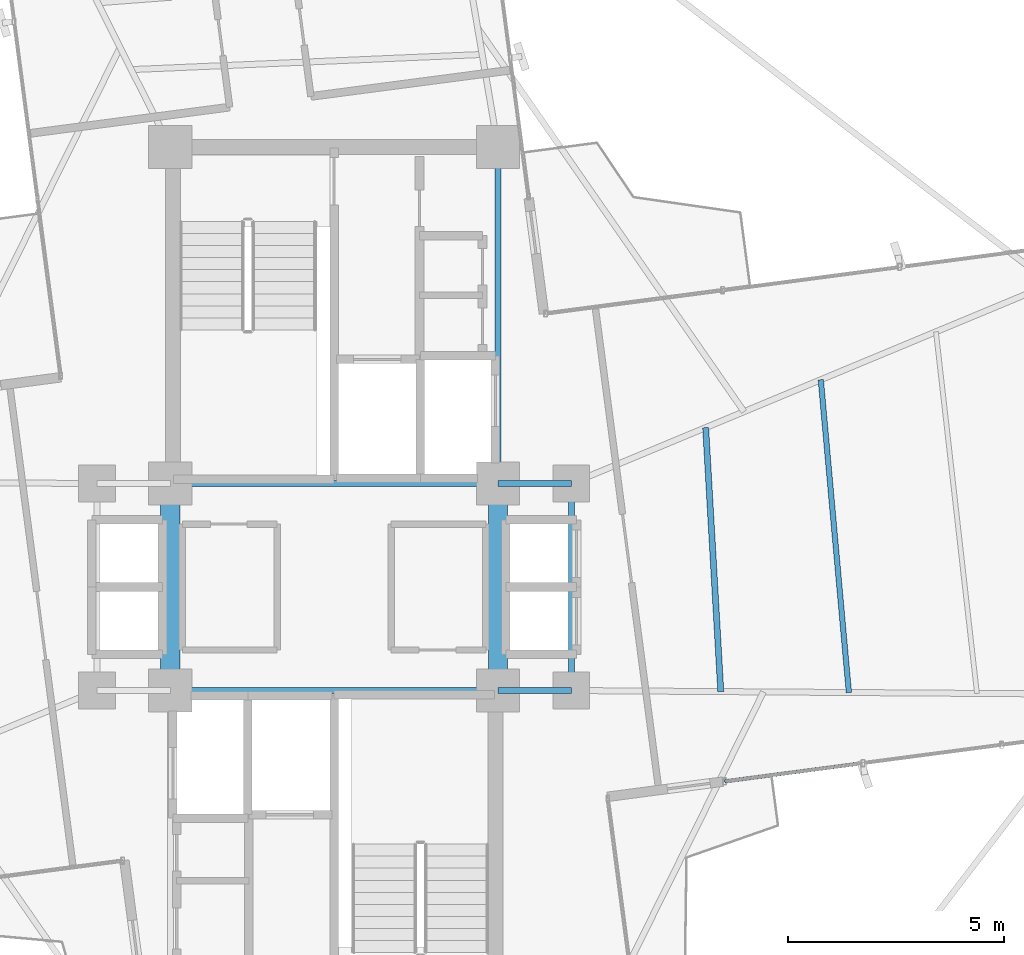
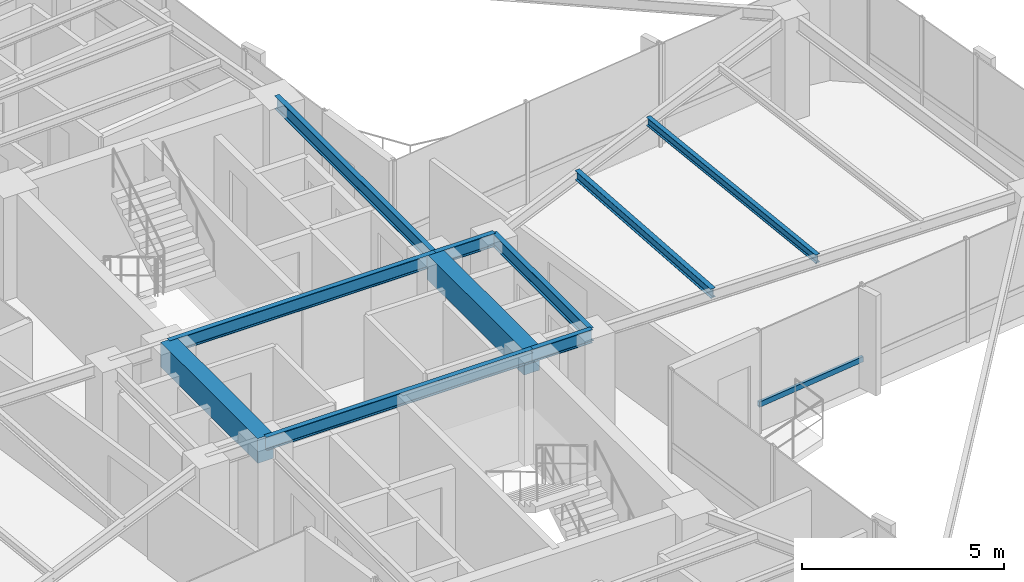
# One storey, part 9 of 21: 10 beams, 1 member, 1 element without a shape of its own.
"""IFC4 building model written with IfcOpenShell, lengths in metres."""

from ifc_helpers import new_model, si_unit, direction, frame, origin, origin_2d, place, context, subcontext, project, spatial, rectangle, hollow_rectangle, i_section, extrude, source, transform, mapped, material, material_profile, profile_set, type_object, element, aggregate, save


model = new_model("IFC4")

# Units and contexts
model_context = context("Model", 3, precision=1e-05, world=origin(), true_north=direction((0.0, 1.0)))
body_context = subcontext(model_context, "Body", "Model", "MODEL_VIEW")
ifc_project = project(units=[si_unit("LENGTHUNIT", "METRE"), si_unit("AREAUNIT", "SQUARE_METRE"), si_unit("VOLUMEUNIT", "CUBIC_METRE"), si_unit("PLANEANGLEUNIT", "RADIAN"), si_unit("MASSUNIT", "GRAM", prefix="KILO")], contexts=[model_context])

# Site, building, storey
site_placement = place(None, origin())
site = spatial("IfcSite", under=ifc_project, at=site_placement, CompositionType="ELEMENT")
building_placement = place(site_placement, origin())
building = spatial("IfcBuilding", under=site, at=building_placement, Name="Sahyath Konkavel Grand Hotel", CompositionType="ELEMENT")
storey_placement = place(building_placement, frame((0.0, 0.0, 213.199951171875)))
storey = spatial("IfcBuildingStorey", under=building, at=storey_placement, Name="L59", CompositionType="ELEMENT", Elevation=213.199951171875)

# Beams
ifc_material_1 = material(Name="Steel E350", Category="steel")
ifc_material_profile_1 = material_profile(ifc_material_1, i_section(OverallWidth=0.139892578125, OverallDepth=0.39990234375, WebThickness=0.0087890625, FlangeThickness=0.01611328125, FilletRadius=0.013916015625, at=origin_2d()), Name="ISMB 400")
ifc_profile_set_1 = profile_set([ifc_material_profile_1], Name="Steel E350")
beam_type_1 = type_object("IfcBeamType", Name="BM-ISMB400", PredefinedType="BEAM", material=ifc_profile_set_1)
shared_shape_1 = source(origin(), body_context, "Body", "SweptSolid", [
    extrude(i_section(OverallWidth=0.139892578125, OverallDepth=0.39990234375, WebThickness=0.0087890625, FlangeThickness=0.01611328125, FilletRadius=0.013916015625, at=origin_2d()), origin(), (0.0, 0.0, 1.0), 7.60009765625),
])
for number, where, z_axis, x_axis, name in (
    (1, (-3.800048828125, 2.39990234375, 2.91015625), (1.0, 0.0, 0.0), (0.0, 1.0, 0.0), "str:bm:L59:NC-S"),
    (2, (-3.800048828125, -2.39990234375, 2.91015625), (1.0, 0.0, 0.0), (0.0, 1.0, 0.0), "str:bm:L59:SC-N"),
):
    element("IfcBeam", number, at=place(storey_placement, frame(where, z_axis=z_axis, x_axis=x_axis)), inside=storey, type_object=beam_type_1, Name=name, PredefinedType="BEAM", context=body_context, shape_type="MappedRepresentation", body=[
        mapped(shared_shape_1, transform((0.0, 0.0, 0.0), scale=1.0)),
    ])
shared_shape_2 = source(origin(), body_context, "Body", "SweptSolid", [
    extrude(i_section(OverallWidth=0.139892578125, OverallDepth=0.39990234375, WebThickness=0.0087890625, FlangeThickness=0.01611328125, FilletRadius=0.013916015625, at=origin_2d()), origin(), (0.0, 0.0, 1.0), 7.800048828125),
])
beam_1_placement = place(storey_placement, frame((3.800048828125, 2.39990234375, 2.91015625), z_axis=(0.0, 1.0, 0.0), x_axis=(-1.0, 0.0, 0.0)))
element("IfcBeam", 3, at=beam_1_placement, inside=storey, type_object=beam_type_1, Name="str:bm:L59:NC-E", PredefinedType="BEAM", context=body_context, shape_type="MappedRepresentation", body=[
    mapped(shared_shape_2, transform((0.0, 0.0, 0.0), scale=1.0)),
])
shared_shape_3 = source(origin(), body_context, "Body", "SweptSolid", [
    extrude(i_section(OverallWidth=0.139892578125, OverallDepth=0.39990234375, WebThickness=0.0087890625, FlangeThickness=0.01611328125, FilletRadius=0.013916015625, at=origin_2d()), origin(), (0.0, 0.0, 1.0), 1.699951171875),
])
for number, where, z_axis, x_axis, name in (
    (4, (3.800048828125, 2.39990234375, 2.91015625), (1.0, 0.0, 0.0), (0.0, 1.0, 0.0), "str:bm:L59:HB-NE"),
    (5, (3.800048828125, -2.39990234375, 2.91015625), (1.0, 0.0, 0.0), (0.0, 1.0, 0.0), "str:bm:L59:HB-SE"),
):
    element("IfcBeam", number, at=place(storey_placement, frame(where, z_axis=z_axis, x_axis=x_axis)), inside=storey, type_object=beam_type_1, Name=name, PredefinedType="BEAM", context=body_context, shape_type="MappedRepresentation", body=[
        mapped(shared_shape_3, transform((0.0, 0.0, 0.0), scale=1.0)),
    ])
shared_shape_4 = source(origin(), body_context, "Body", "SweptSolid", [
    extrude(i_section(OverallWidth=0.139892578125, OverallDepth=0.39990234375, WebThickness=0.0087890625, FlangeThickness=0.01611328125, FilletRadius=0.013916015625, at=origin_2d()), origin(), (0.0, 0.0, 1.0), 4.7998046875),
])
beam_2_placement = place(storey_placement, frame((5.5, -2.39990234375, 2.91015625), z_axis=(0.0, 1.0, 0.0), x_axis=(-1.0, 0.0, 0.0)))
element("IfcBeam", 6, at=beam_2_placement, inside=storey, type_object=beam_type_1, Name="str:bm:L59:HB-E", PredefinedType="BEAM", context=body_context, shape_type="MappedRepresentation", body=[
    mapped(shared_shape_4, transform((0.0, 0.0, 0.0), scale=1.0)),
])
ifc_material_2 = material(Name="Concrete C40/50", Category="concrete")
ifc_material_profile_2 = material_profile(ifc_material_2, rectangle(XDim=0.449951171875, YDim=0.75, at=origin_2d()), Name="RC 450x750")
ifc_profile_set_2 = profile_set([ifc_material_profile_2], Name="Concrete C40/50")
beam_type_2 = type_object("IfcBeamType", Name="BM-CB450x750", PredefinedType="LINTEL", material=ifc_profile_set_2)
shared_shape_5 = source(origin(), body_context, "Body", "SweptSolid", [
    extrude(rectangle(XDim=0.449951171875, YDim=0.75, at=origin_2d()), origin(), (0.0, 0.0, 1.0), 4.7998046875),
])
for number, where, z_axis, x_axis, name in (
    (7, (-3.800048828125, -2.39990234375, 2.735107421875), (0.0, 1.0, 0.0), (-1.0, 0.0, 0.0), "L59 Split-Core Coupling Beam West"),
    (8, (3.800048828125, -2.39990234375, 2.735107421875), (0.0, 1.0, 0.0), (-1.0, 0.0, 0.0), "L59 Split-Core Coupling Beam East"),
):
    element("IfcBeam", number, at=place(storey_placement, frame(where, z_axis=z_axis, x_axis=x_axis)), inside=storey, type_object=beam_type_2, Name=name, PredefinedType="LINTEL", context=body_context, shape_type="MappedRepresentation", body=[
        mapped(shared_shape_5, transform((0.0, 0.0, 0.0), scale=1.0)),
    ])
ifc_material_profile_3 = material_profile(ifc_material_1, i_section(OverallWidth=0.139892578125, OverallDepth=0.27490234375, WebThickness=0.00634765625, FlangeThickness=0.0087890625, FilletRadius=0.012939453125, at=origin_2d()), Name="ISLB 275")
ifc_profile_set_3 = profile_set([ifc_material_profile_3], Name="Steel E350")
beam_type_3 = type_object("IfcBeamType", Name="BM-ISLB275", PredefinedType="BEAM", material=ifc_profile_set_3)
shared_shape_6 = source(origin(), body_context, "Body", "SweptSolid", [
    extrude(i_section(OverallWidth=0.139892578125, OverallDepth=0.27490234375, WebThickness=0.00634765625, FlangeThickness=0.0087890625, FilletRadius=0.012939453125, at=origin_2d()), origin(), (0.0, 0.0, 1.0), 6.130859375),
])
beam_3_placement = place(storey_placement, frame((8.9658203125, -2.424560546875, 2.97265625), z_axis=(-0.057223299361, 0.998361404508, 0.0), x_axis=(-0.998361404508, -0.057223299361, 0.0)))
element("IfcBeam", 9, at=beam_3_placement, inside=storey, type_object=beam_type_3, Name="L59 Secondary Floor Beam E-1", PredefinedType="BEAM", context=body_context, shape_type="MappedRepresentation", body=[
    mapped(shared_shape_6, transform((0.0, 0.0, 0.0), scale=1.0)),
])
ifc_material_profile_4 = material_profile(ifc_material_1, i_section(OverallWidth=0.125, OverallDepth=0.25, WebThickness=0.0068359375, FlangeThickness=0.012451171875, FilletRadius=0.012939453125, at=origin_2d()), Name="ISMB 250")
ifc_profile_set_4 = profile_set([ifc_material_profile_4], Name="Steel E350")
beam_type_4 = type_object("IfcBeamType", Name="BM-ISMB250", PredefinedType="BEAM", material=ifc_profile_set_4)
shared_shape_7 = source(origin(), body_context, "Body", "SweptSolid", [
    extrude(i_section(OverallWidth=0.125, OverallDepth=0.25, WebThickness=0.0068359375, FlangeThickness=0.012451171875, FilletRadius=0.012939453125, at=origin_2d()), origin(), (0.0, 0.0, 1.0), 7.28271484375),
])
beam_4_placement = place(storey_placement, frame((11.936279296875, -2.44580078125, 2.985107421875), z_axis=(-0.08944149657, 0.995992077625, 0.0), x_axis=(-0.995992077625, -0.08944149657, 0.0)))
element("IfcBeam", 10, at=beam_4_placement, inside=storey, type_object=beam_type_4, Name="L59 Secondary Floor Beam E-2", PredefinedType="BEAM", context=body_context, shape_type="MappedRepresentation", body=[
    mapped(shared_shape_7, transform((0.0, 0.0, 0.0), scale=1.0)),
])

# Curtain wall, member
ifc_material_3 = material(Name="Anodised Bronze Aluminium & Low-E Glazing", Category="aluminium")
curtain_wall_type = type_object("IfcCurtainWallType", Name="CW-ZONE4", PredefinedType="NOTDEFINED", material=ifc_material_3)
curtain_wall_placement = place(storey_placement, origin())
curtain_wall = element("IfcCurtainWall", 11, at=curtain_wall_placement, inside=storey, type_object=curtain_wall_type, Name="L59 Unitised Curtain Wall F0", PredefinedType="NOTDEFINED")
ifc_material_4 = material(Name="Anodised Bronze Aluminium", Category="aluminium")
ifc_material_profile_5 = material_profile(ifc_material_4, hollow_rectangle(XDim=0.080078125, YDim=0.159912109375, WallThickness=0.006103515625, at=origin_2d()), Name="RHS 160x80x6")
ifc_profile_set_5 = profile_set([ifc_material_profile_5], Name="Anodised Bronze Aluminium")
member_type = type_object("IfcMemberType", Name="CW-TRN-160", PredefinedType="USERDEFINED", material=ifc_profile_set_5)
shared_shape_8 = source(origin(), body_context, "Body", "SweptSolid", [
    extrude(hollow_rectangle(XDim=0.080078125, YDim=0.159912109375, WallThickness=0.006103515625, at=origin_2d()), origin(), (0.0, 0.0, 1.0), 3.240234375),
])
member_placement = place(storey_placement, frame((9.0556640625, -4.506591796875, 0.85009765625), z_axis=(0.991447626157, 0.130505189885, 0.0), x_axis=(-0.130505189885, 0.991447626157, 0.0)))
member = element("IfcMember", 12, at=member_placement, type_object=member_type, Name="L59 Curtain Wall Transom F0-0-spandrel", ObjectType="TRANSOM", PredefinedType="USERDEFINED", context=body_context, shape_type="MappedRepresentation", body=[
    mapped(shared_shape_8, transform((0.0, 0.0, 0.0), scale=1.0)),
])
aggregate(curtain_wall, [member])

save(model, "model.ifc")
